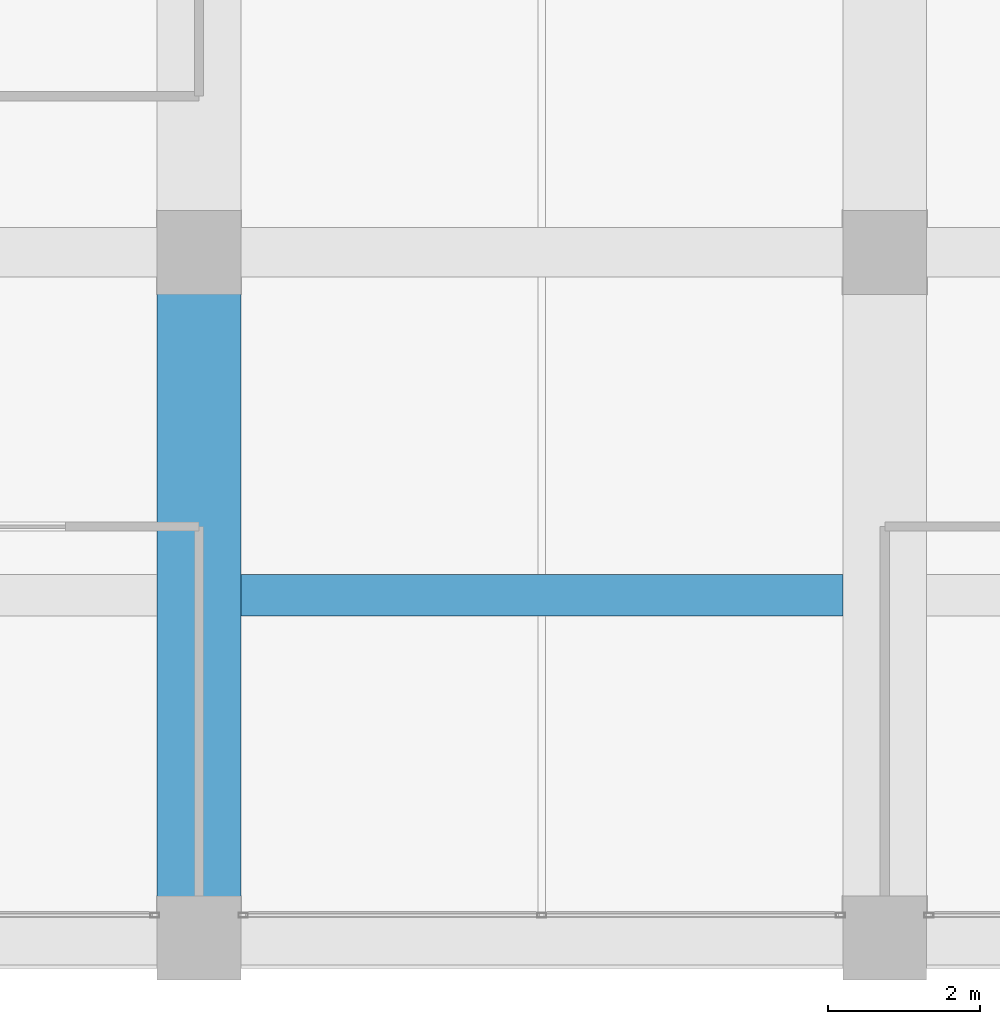
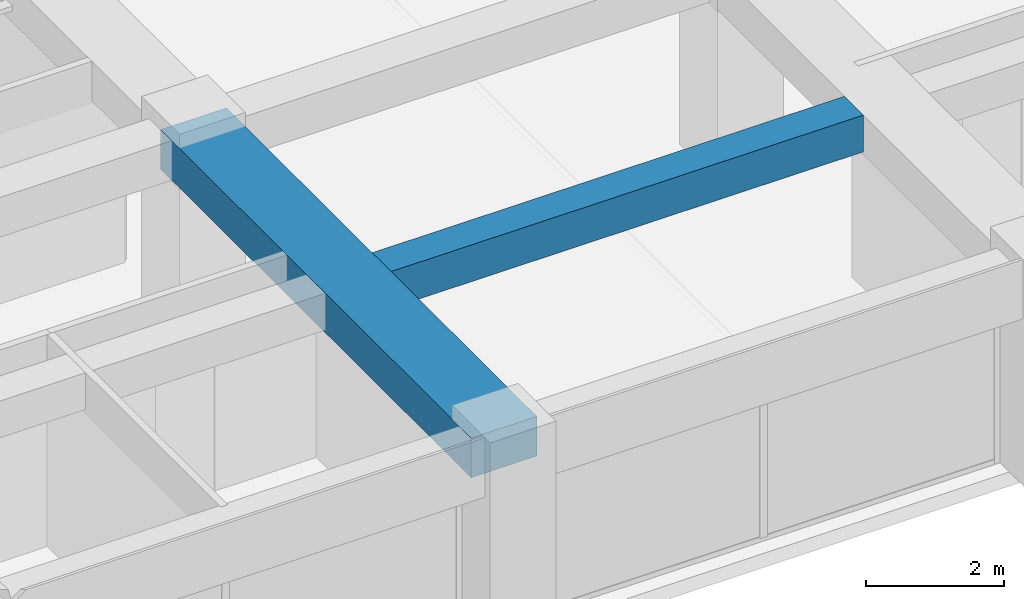
# One storey, part 10 of 44: 2 beams.
"""IFC4 building model written with IfcOpenShell, lengths in metres."""

from ifc_helpers import new_model, si_unit, direction, frame, origin, origin_2d, place, context, subcontext, project, spatial, rectangle, extrude, material, material_profile, profile_set, type_object, element, save


model = new_model("IFC4")

# Units and contexts
model_context = context("Model", 3, precision=1e-05, world=origin(), true_north=direction((0.0, 1.0)))
body_context = subcontext(model_context, "Body", "Model", "MODEL_VIEW")
ifc_project = project(units=[si_unit("LENGTHUNIT", "METRE"), si_unit("AREAUNIT", "SQUARE_METRE"), si_unit("VOLUMEUNIT", "CUBIC_METRE"), si_unit("PLANEANGLEUNIT", "RADIAN"), si_unit("MASSUNIT", "GRAM", prefix="KILO")], contexts=[model_context])

# Site, building, storey
site_placement = place(None, origin())
site = spatial("IfcSite", under=ifc_project, at=site_placement, CompositionType="ELEMENT")
building_placement = place(site_placement, origin())
building = spatial("IfcBuilding", under=site, at=building_placement, Name="Zorevar Civic Tower", CompositionType="ELEMENT")
storey_placement = place(building_placement, frame((0.0, 0.0, 259.39990234375)))
storey = spatial("IfcBuildingStorey", under=building, at=storey_placement, Name="L63", CompositionType="ELEMENT", Elevation=259.39990234375)

# Beams
ifc_material_1 = material(Name="Concrete C50/60", Category="concrete")
ifc_material_profile_1 = material_profile(ifc_material_1, rectangle(XDim=1.10009765625, YDim=0.699951171875, at=origin_2d()), Name="RC 1100x700")
ifc_profile_set_1 = profile_set([ifc_material_profile_1], Name="Concrete C50/60")
beam_type_1 = type_object("IfcBeamType", Name="Beam RC 1100x700", PredefinedType="BEAM", material=ifc_profile_set_1)
beam_1_placement = place(storey_placement, frame((27.0, 0.0, 3.400146484375), z_axis=(0.0, 1.0, 0.0), x_axis=(-1.0, 0.0, 0.0)))
element("IfcBeam", 1, at=beam_1_placement, inside=storey, type_object=beam_type_1, Name="Girder L64", PredefinedType="BEAM", context=body_context, shape_type="SweptSolid", body=[
    extrude(rectangle(XDim=1.10009765625, YDim=0.699951171875, at=origin_2d()), origin(), (0.0, 0.0, 1.0), 9.0),
])
ifc_material_2 = material(Name="Concrete C50/60", Category="concrete")
ifc_material_profile_2 = material_profile(ifc_material_2, rectangle(XDim=0.550048828125, YDim=0.64990234375, at=origin_2d()), Name="RC 550x650")
ifc_profile_set_2 = profile_set([ifc_material_profile_2], Name="Concrete C50/60")
beam_type_2 = type_object("IfcBeamType", Name="Beam RC 550x650", PredefinedType="BEAM", material=ifc_profile_set_2)
beam_2_placement = place(storey_placement, frame((27.550048828125, 4.5, 3.425048828125), z_axis=(1.0, 0.0, 0.0), x_axis=(0.0, 1.0, 0.0)))
element("IfcBeam", 2, at=beam_2_placement, inside=storey, type_object=beam_type_2, Name="Secondary beam L64", PredefinedType="BEAM", context=body_context, shape_type="SweptSolid", body=[
    extrude(rectangle(XDim=0.550048828125, YDim=0.64990234375, at=origin_2d()), origin(), (0.0, 0.0, 1.0), 7.89990234375),
])

save(model, "model.ifc")
